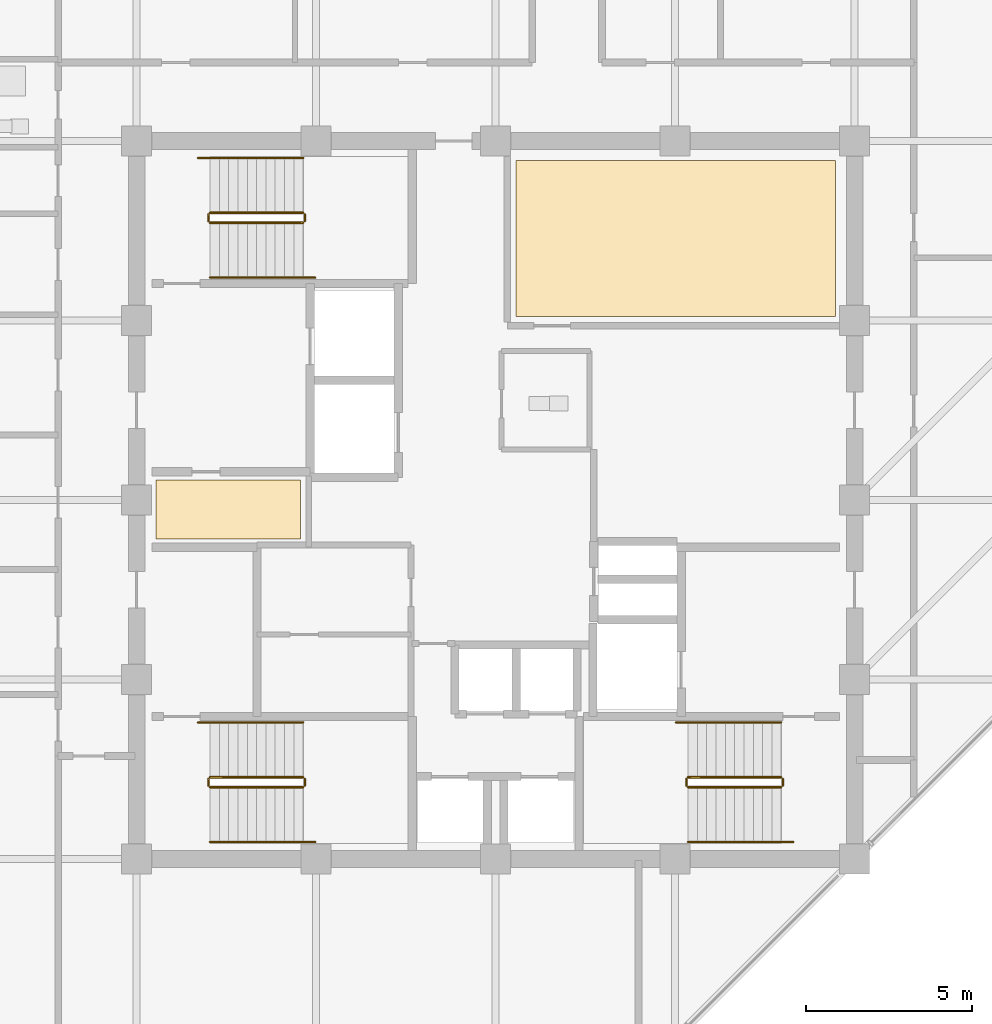
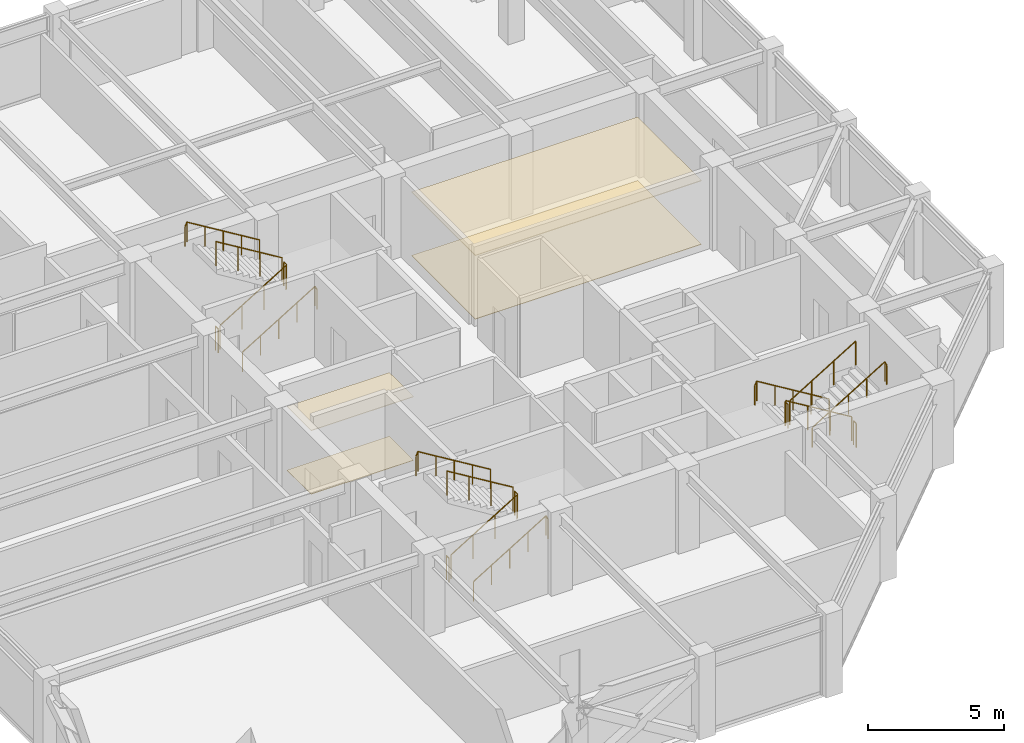
# One storey, part 29 of 30: 18 railings, 4 coverings.
"""IFC4 building model written with IfcOpenShell, lengths in metres."""

import ifcopenshell
import ifcopenshell.guid

model = None  # the IFC model being written
_history = None  # IfcOwnerHistory: only IFC2X3 demands one
_inside = {}  # id of a spatial element -> (the spatial element, [elements in it])
_under = {}  # id of a project, library or spatial element -> (it, [spatial elements below it])
_declared = {}  # id of a project -> (the project, [libraries it declares])
_typed = {}  # id of a type object -> (the type object, [elements of that type])
_made_of = {}  # id of a material, layer set ... -> (it, [elements and type objects made of it])


def new_model(schema):
    """Start an empty IFC model of exactly this schema.

    Asked for "IFC4X3", IfcOpenShell would pick the latest addendum, in which some entities
    have other attributes; the version numbers below select the first issue.
    IFC2X3 requires an IfcOwnerHistory on every rooted entity: one is made here for all.
    """
    global model, _history
    if schema == "IFC4X3":
        model = ifcopenshell.file(schema_version=(4, 3, 0, 0))
    else:
        model = ifcopenshell.file(schema=schema)
    _inside.clear()
    _under.clear()
    _declared.clear()
    _typed.clear()
    _made_of.clear()
    _history = None
    if model.schema == "IFC2X3":
        org = make("IfcOrganization", Name="unknown")
        user = make(
            "IfcPersonAndOrganization",
            ThePerson=make("IfcPerson", FamilyName="unknown"),
            TheOrganization=org,
        )
        app = make(
            "IfcApplication",
            ApplicationDeveloper=org,
            Version="unknown",
            ApplicationFullName="unknown",
            ApplicationIdentifier="unknown",
        )
        _history = make(
            "IfcOwnerHistory",
            OwningUser=user,
            OwningApplication=app,
            ChangeAction="ADDED",
            CreationDate=0,
        )
    return model


def make(cls, **values):
    """One entity of the class cls with the attributes given. An attribute that is None is left unset."""
    return model.create_entity(
        cls, **{name: value for name, value in values.items() if value is not None}
    )


def rooted(cls, **values):
    """An entity with a GlobalId (a new one), such as an element, a storey or a relation."""
    return make(cls, GlobalId=ifcopenshell.guid.new(), OwnerHistory=_history, **values)


def si_unit(unit_type, name, prefix=None):
    """IfcSIUnit, for example si_unit("LENGTHUNIT", "METRE", prefix="MILLI")."""
    return make("IfcSIUnit", UnitType=unit_type, Prefix=prefix, Name=name)


def assignment(units):
    """IfcUnitAssignment: the units of a project."""
    return None if units is None else make("IfcUnitAssignment", Units=units)


def point(xyz):
    """IfcCartesianPoint."""
    return None if xyz is None else make("IfcCartesianPoint", Coordinates=xyz)


def direction(xyz):
    """IfcDirection."""
    return None if xyz is None else make("IfcDirection", DirectionRatios=xyz)


def frame(location, z_axis=None, x_axis=None):
    """IfcAxis2Placement3D, a coordinate frame: its origin and axes. An axis left out is left unset."""
    return make(
        "IfcAxis2Placement3D",
        Location=point(location),
        Axis=direction(z_axis),
        RefDirection=direction(x_axis),
    )


def frame_2d(location, x_axis=None):
    """IfcAxis2Placement2D, a coordinate frame in the plane: its origin and x axis."""
    return make(
        "IfcAxis2Placement2D", Location=point(location), RefDirection=direction(x_axis)
    )


def origin():
    """The frame at (0, 0, 0) with its axes left unset."""
    return frame((0.0, 0.0, 0.0))


def origin_2d():
    """The frame at (0, 0) in the plane with its x axis left unset."""
    return frame_2d((0.0, 0.0))


def place(relative_to, where):
    """IfcLocalPlacement: puts the frame where relative to a parent placement (None: the world)."""
    return make(
        "IfcLocalPlacement", PlacementRelTo=relative_to, RelativePlacement=where
    )


def context(
    kind, dimensions, precision=None, world=None, true_north=None, identifier=None
):
    """IfcGeometricRepresentationContext, for example the 3D "Model" context."""
    return make(
        "IfcGeometricRepresentationContext",
        ContextIdentifier=identifier,
        ContextType=kind,
        CoordinateSpaceDimension=dimensions,
        Precision=precision,
        WorldCoordinateSystem=world,
        TrueNorth=true_north,
    )


def subcontext(parent, identifier, kind, view, scale=None):
    """IfcGeometricRepresentationSubContext, for example "Body" below "Model"."""
    return make(
        "IfcGeometricRepresentationSubContext",
        ContextIdentifier=identifier,
        ContextType=kind,
        ParentContext=parent,
        TargetScale=scale,
        TargetView=view,
    )


def project(units=None, contexts=None):
    """IfcProject with its units and contexts."""
    return rooted(
        "IfcProject",
        Name="project",
        RepresentationContexts=contexts,
        UnitsInContext=assignment(units),
    )


def spatial(cls, under=None, at=None, **own):
    """A site, building, storey or space (cls), placed at a placement, below another one or the project."""
    s = rooted(cls, ObjectPlacement=at, **own)
    if under is not None:
        _under.setdefault(under.id(), (under, []))[1].append(s)
    return s


def polyline(points):
    """IfcPolyline through the points."""
    return make("IfcPolyline", Points=[point(p) for p in points])


def profile(cls, at=None, kind="AREA", **sizes):
    """A parametric profile (cls). Its sizes go by their IFC names, for example OverallWidth=200.0."""
    return make(cls, ProfileType=kind, Position=at, **sizes)


def circle(**sizes):
    """IfcCircleProfileDef."""
    return profile("IfcCircleProfileDef", **sizes)


def outline(outer, holes=None, kind="AREA"):
    """IfcArbitraryClosedProfileDef: a profile drawn as a closed curve; with holes, ...WithVoids."""
    if holes is None:
        return make("IfcArbitraryClosedProfileDef", ProfileType=kind, OuterCurve=outer)
    return make(
        "IfcArbitraryProfileDefWithVoids",
        ProfileType=kind,
        OuterCurve=outer,
        InnerCurves=holes,
    )


def extrude(swept, where, along, depth):
    """IfcExtrudedAreaSolid: the profile swept, set in the frame where, extruded along a direction by depth."""
    return make(
        "IfcExtrudedAreaSolid",
        SweptArea=swept,
        Position=where,
        ExtrudedDirection=direction(along),
        Depth=depth,
    )


def shape(context_of_items, identifier, shape_type, items):
    """IfcShapeRepresentation: the items that make up one representation, for example the "Body"."""
    return make(
        "IfcShapeRepresentation",
        ContextOfItems=context_of_items,
        RepresentationIdentifier=identifier,
        RepresentationType=shape_type,
        Items=items,
    )


def material(Name=None, Category=None):
    """IfcMaterial."""
    return make("IfcMaterial", Name=Name, Category=Category)


def layer(
    of_material, thickness, ventilated=None, Name=None, Category=None, Priority=None
):
    """IfcMaterialLayer: one layer of a wall or slab, of a material (None: an air gap)."""
    return make(
        "IfcMaterialLayer",
        Material=of_material,
        LayerThickness=thickness,
        IsVentilated=ventilated,
        Name=Name,
        Category=Category,
        Priority=Priority,
    )


def layer_set(layers, Name=None):
    """IfcMaterialLayerSet."""
    return make("IfcMaterialLayerSet", MaterialLayers=layers, LayerSetName=Name)


def made_of(thing, what):
    """Note that an element or type object is made of a material, layer set ...; save() writes the relation."""
    if what is not None:
        _made_of.setdefault(what.id(), (what, []))[1].append(thing)
    return thing


def type_object(cls, material=None, **own):
    """A type object (cls), such as IfcWallType, which elements share."""
    return made_of(rooted(cls, **own), material)


def element(
    cls,
    number,
    at=None,
    inside=None,
    cuts=None,
    type_object=None,
    material=None,
    context=None,
    identifier="Body",
    shape_type=None,
    held_by="IfcProductDefinitionShape",
    body=None,
    shapes=None,
    **own,
):
    """One element of the class cls, such as IfcWall. Its Tag is "e" and its number.

    at: its placement. inside: the storey or other place that contains it. cuts: it is an
    opening in that element (IfcRelVoidsElement). A single representation is given by context,
    identifier, shape_type and body (its items); several are given by shapes. held_by: the class
    of the entity that holds the representations. save() writes the other relations.
    """
    e = rooted(cls, Tag="e%d" % number, ObjectPlacement=at, **own)
    if body is not None:
        shapes = [shape(context, identifier, shape_type, body)]
    if shapes is not None:
        e.Representation = make(held_by, Representations=shapes)
    if inside is not None:
        _inside.setdefault(inside.id(), (inside, []))[1].append(e)
    if cuts is not None:
        rooted(
            "IfcRelVoidsElement", RelatingBuildingElement=cuts, RelatedOpeningElement=e
        )
    if type_object is not None:
        _typed.setdefault(type_object.id(), (type_object, []))[1].append(e)
    return made_of(e, material)


def aggregate(whole, parts):
    """IfcRelAggregates: a whole, such as a stair, and the parts it consists of."""
    return rooted("IfcRelAggregates", RelatingObject=whole, RelatedObjects=parts)


def save(model, path):
    """Write the relations noted so far, then the file.

    IfcRelAggregates (storeys below a building ...), IfcRelContainedInSpatialStructure (elements
    in a storey), IfcRelDefinesByType, IfcRelAssociatesMaterial and IfcRelDeclares: one each for
    every whole, place, type object, material and project.
    """
    for whole, parts in _under.values():
        aggregate(whole, parts)
    for where, things in _inside.values():
        rooted(
            "IfcRelContainedInSpatialStructure",
            RelatedElements=things,
            RelatingStructure=where,
        )
    for kind, things in _typed.values():
        rooted("IfcRelDefinesByType", RelatedObjects=things, RelatingType=kind)
    for what, things in _made_of.values():
        rooted("IfcRelAssociatesMaterial", RelatedObjects=things, RelatingMaterial=what)
    for by, libraries in _declared.values():
        rooted("IfcRelDeclares", RelatingContext=by, RelatedDefinitions=libraries)
    model.write(path)


model = new_model("IFC4")

# Units and contexts
model_context = context("Model", 3, precision=1e-05, world=origin(), true_north=direction((0.0, 1.0)))
body_context = subcontext(model_context, "Body", "Model", "MODEL_VIEW")
ifc_project = project(units=[si_unit("LENGTHUNIT", "METRE"), si_unit("AREAUNIT", "SQUARE_METRE"), si_unit("VOLUMEUNIT", "CUBIC_METRE"), si_unit("PLANEANGLEUNIT", "RADIAN"), si_unit("MASSUNIT", "GRAM", prefix="KILO")], contexts=[model_context])

# Site, building, storey
site_placement = place(None, origin())
site = spatial("IfcSite", under=ifc_project, at=site_placement, CompositionType="ELEMENT")
building_placement = place(site_placement, origin())
building = spatial("IfcBuilding", under=site, at=building_placement, Name="Surkhivell Harbour Commons", CompositionType="ELEMENT")
storey_placement = place(building_placement, frame((0.0, 0.0, 300.0)))
storey = spatial("IfcBuildingStorey", under=building, at=storey_placement, Name="L78", CompositionType="ELEMENT", Elevation=300.0)

# Coverings
ifc_material_1 = material(Name="Perforated acoustic mineral-fibre ceiling tile", Category="other")
ifc_layer_1 = layer(ifc_material_1, 0.02490234375)
ifc_layer_set_1 = layer_set([ifc_layer_1], Name="Perforated acoustic mineral-fibre ceiling tile")
covering_type_1 = type_object("IfcCoveringType", Name="COV-CEIL-AC", PredefinedType="CEILING", material=ifc_layer_set_1)
covering_1_placement = place(storey_placement, frame((0.0, 0.0, 2.85205078125)))
element("IfcCovering", 1, at=covering_1_placement, inside=storey, type_object=covering_type_1, Name="L78 Suspended Acoustic Ceiling 1", PredefinedType="CEILING", context=body_context, shape_type="SweptSolid", body=[
    extrude(outline(polyline([(-10.219970703125, -1.179931640625), (-5.8701171875, -1.179931640625), (-5.8701171875, 0.60009765625), (-10.219970703125, 0.60009765625), (-10.219970703125, -1.179931640625)])), origin(), (0.0, 0.0, 1.0), 0.02490234375),
])
ifc_material_2 = material(Name="Moisture-resistant gypsum acoustic ceiling board", Category="other")
ifc_layer_2 = layer(ifc_material_2, 0.030029296875)
ifc_layer_set_2 = layer_set([ifc_layer_2], Name="Moisture-resistant gypsum acoustic ceiling board")
covering_type_2 = type_object("IfcCoveringType", Name="COV-CEIL-GYP", PredefinedType="CEILING", material=ifc_layer_set_2)
covering_2_placement = place(storey_placement, frame((0.0, 0.0, 2.846923828125)))
element("IfcCovering", 2, at=covering_2_placement, inside=storey, type_object=covering_type_2, Name="L78 Suspended Acoustic Ceiling 2", PredefinedType="CEILING", context=body_context, shape_type="SweptSolid", body=[
    extrude(outline(polyline([(0.6201171875, 5.52001953125), (10.219970703125, 5.52001953125), (10.219970703125, 10.219970703125), (0.6201171875, 10.219970703125), (0.6201171875, 5.52001953125)])), origin(), (0.0, 0.0, 1.0), 0.030029296875),
])
ifc_material_3 = material(Name="Engineered acoustic oak timber flooring", Category="wood")
ifc_layer_3 = layer(ifc_material_3, 0.02001953125)
ifc_layer_set_3 = layer_set([ifc_layer_3], Name="Engineered acoustic oak timber flooring")
covering_type_3 = type_object("IfcCoveringType", Name="COV-FLR-TIM", PredefinedType="FLOORING", material=ifc_layer_set_3)
covering_3_placement = place(storey_placement, origin())
element("IfcCovering", 3, at=covering_3_placement, inside=storey, type_object=covering_type_3, Name="L78 Interior Floor Finish 1", PredefinedType="FLOORING", context=body_context, shape_type="SweptSolid", body=[
    extrude(outline(polyline([(-10.219970703125, -1.179931640625), (-5.8701171875, -1.179931640625), (-5.8701171875, 0.60009765625), (-10.219970703125, 0.60009765625), (-10.219970703125, -1.179931640625)])), origin(), (0.0, 0.0, 1.0), 0.02001953125),
])
covering_4_placement = place(storey_placement, origin())
element("IfcCovering", 4, at=covering_4_placement, inside=storey, type_object=covering_type_3, Name="L78 Interior Floor Finish 2", PredefinedType="FLOORING", context=body_context, shape_type="SweptSolid", body=[
    extrude(outline(polyline([(0.6201171875, 5.52001953125), (10.219970703125, 5.52001953125), (10.219970703125, 10.219970703125), (0.6201171875, 10.219970703125), (0.6201171875, 5.52001953125)])), origin(), (0.0, 0.0, 1.0), 0.02001953125),
])

# Railings
ifc_material_4 = material(Name="Galvanised and painted steel S355 guard rail", Category="steel")
railing_type_1 = type_object("IfcRailingType", Name="RAL-ST-GRD1100", PredefinedType="GUARDRAIL", material=ifc_material_4)
railing_1_placement = place(storey_placement, frame((-8.590087890625, 8.340087890625, 0.17041015625)))
element("IfcRailing", 5, at=railing_1_placement, inside=storey, type_object=railing_type_1, Name="L78 ST1 stair guard 1", PredefinedType="GUARDRAIL", context=body_context, shape_type="SweptSolid", body=[
    extrude(circle(Radius=0.02392578125, at=origin_2d()), frame((0.0, 0.0, 1.076171875), z_axis=(0.854169791009, 0.0, 0.51999420009), x_axis=(0.0, 1.0, 0.0)), (0.0, 0.0, 1.0), 3.278076171875),
    extrude(circle(Radius=0.02099609375, at=origin_2d()), origin(), (0.0, 0.0, 1.0), 1.052001953125),
    extrude(circle(Radius=0.02099609375, at=origin_2d()), frame((0.933349609375, 0.0, 0.568115234375)), (0.0, 0.0, 1.0), 1.052001953125),
    extrude(circle(Radius=0.02099609375, at=origin_2d()), frame((1.86669921875, 0.0, 1.136474609375)), (0.0, 0.0, 1.0), 1.052001953125),
    extrude(circle(Radius=0.02099609375, at=origin_2d()), frame((2.800048828125, 0.0, 1.70458984375)), (0.0, 0.0, 1.0), 1.052001953125),
])
railing_2_placement = place(storey_placement, frame((-5.739990234375, 8.389892578125, 1.875)))
element("IfcRailing", 6, at=railing_2_placement, inside=storey, type_object=railing_type_1, Name="L78 ST1 stair guard 2", PredefinedType="GUARDRAIL", context=body_context, shape_type="SweptSolid", body=[
    extrude(circle(Radius=0.02392578125, at=origin_2d()), frame((0.0, 0.0, 1.076171875), z_axis=(0.0, 1.0, 0.0), x_axis=(-1.0, 0.0, 0.0)), (0.0, 0.0, 1.0), 0.2001953125),
    extrude(circle(Radius=0.02099609375, at=origin_2d()), origin(), (0.0, 0.0, 1.0), 1.052001953125),
    extrude(circle(Radius=0.02099609375, at=origin_2d()), frame((0.0, 0.2001953125, 0.0)), (0.0, 0.0, 1.0), 1.052001953125),
])
railing_3_placement = place(storey_placement, frame((-5.7900390625, 8.639892578125, 2.04541015625)))
element("IfcRailing", 7, at=railing_3_placement, inside=storey, type_object=railing_type_1, Name="L78 ST1 stair guard 3", PredefinedType="GUARDRAIL", context=body_context, shape_type="SweptSolid", body=[
    extrude(circle(Radius=0.02392578125, at=origin_2d()), frame((0.0, 0.0, 1.076171875), z_axis=(-0.854169791009, 0.0, 0.51999420009), x_axis=(0.0, -1.0, 0.0)), (0.0, 0.0, 1.0), 3.278076171875),
    extrude(circle(Radius=0.02099609375, at=origin_2d()), origin(), (0.0, 0.0, 1.0), 1.052001953125),
    extrude(circle(Radius=0.02099609375, at=origin_2d()), frame((-0.933349609375, 0.0, 0.568115234375)), (0.0, 0.0, 1.0), 1.052001953125),
    extrude(circle(Radius=0.02099609375, at=origin_2d()), frame((-1.86669921875, 0.0, 1.136474609375)), (0.0, 0.0, 1.0), 1.052001953125),
    extrude(circle(Radius=0.02099609375, at=origin_2d()), frame((-2.800048828125, 0.0, 1.70458984375)), (0.0, 0.0, 1.0), 1.052001953125),
])
railing_4_placement = place(storey_placement, frame((-8.639892578125, 8.389892578125, 0.0)))
element("IfcRailing", 8, at=railing_4_placement, inside=storey, type_object=railing_type_1, Name="L78 ST1 stair guard 4", PredefinedType="GUARDRAIL", context=body_context, shape_type="SweptSolid", body=[
    extrude(circle(Radius=0.02392578125, at=origin_2d()), frame((0.0, 0.0, 1.076171875), z_axis=(0.0, 1.0, 0.0), x_axis=(-1.0, 0.0, 0.0)), (0.0, 0.0, 1.0), 0.2001953125),
    extrude(circle(Radius=0.02099609375, at=origin_2d()), origin(), (0.0, 0.0, 1.0), 1.052001953125),
    extrude(circle(Radius=0.02099609375, at=origin_2d()), frame((0.0, 0.2001953125, 0.0)), (0.0, 0.0, 1.0), 1.052001953125),
])
railing_5_placement = place(storey_placement, frame((8.590087890625, -8.340087890625, 0.17041015625)))
element("IfcRailing", 9, at=railing_5_placement, inside=storey, type_object=railing_type_1, Name="L78 ST2 stair guard 1", PredefinedType="GUARDRAIL", context=body_context, shape_type="SweptSolid", body=[
    extrude(circle(Radius=0.02392578125, at=origin_2d()), frame((0.0, 0.0, 1.076171875), z_axis=(-0.854169791009, 0.0, 0.51999420009), x_axis=(0.0, -1.0, 0.0)), (0.0, 0.0, 1.0), 3.278076171875),
    extrude(circle(Radius=0.02099609375, at=origin_2d()), origin(), (0.0, 0.0, 1.0), 1.052001953125),
    extrude(circle(Radius=0.02099609375, at=origin_2d()), frame((-0.933349609375, 0.0, 0.568115234375)), (0.0, 0.0, 1.0), 1.052001953125),
    extrude(circle(Radius=0.02099609375, at=origin_2d()), frame((-1.86669921875, 0.0, 1.136474609375)), (0.0, 0.0, 1.0), 1.052001953125),
    extrude(circle(Radius=0.02099609375, at=origin_2d()), frame((-2.800048828125, 0.0, 1.70458984375)), (0.0, 0.0, 1.0), 1.052001953125),
])
railing_6_placement = place(storey_placement, frame((5.739990234375, -8.389892578125, 1.875)))
element("IfcRailing", 10, at=railing_6_placement, inside=storey, type_object=railing_type_1, Name="L78 ST2 stair guard 2", PredefinedType="GUARDRAIL", context=body_context, shape_type="SweptSolid", body=[
    extrude(circle(Radius=0.02392578125, at=origin_2d()), frame((0.0, 0.0, 1.076171875), z_axis=(0.0, -1.0, 0.0), x_axis=(1.0, 0.0, 0.0)), (0.0, 0.0, 1.0), 0.2001953125),
    extrude(circle(Radius=0.02099609375, at=origin_2d()), origin(), (0.0, 0.0, 1.0), 1.052001953125),
    extrude(circle(Radius=0.02099609375, at=origin_2d()), frame((0.0, -0.2001953125, 0.0)), (0.0, 0.0, 1.0), 1.052001953125),
])
railing_7_placement = place(storey_placement, frame((5.7900390625, -8.639892578125, 2.04541015625)))
element("IfcRailing", 11, at=railing_7_placement, inside=storey, type_object=railing_type_1, Name="L78 ST2 stair guard 3", PredefinedType="GUARDRAIL", context=body_context, shape_type="SweptSolid", body=[
    extrude(circle(Radius=0.02392578125, at=origin_2d()), frame((0.0, 0.0, 1.076171875), z_axis=(0.854169791009, 0.0, 0.51999420009), x_axis=(0.0, 1.0, 0.0)), (0.0, 0.0, 1.0), 3.278076171875),
    extrude(circle(Radius=0.02099609375, at=origin_2d()), origin(), (0.0, 0.0, 1.0), 1.052001953125),
    extrude(circle(Radius=0.02099609375, at=origin_2d()), frame((0.933349609375, 0.0, 0.568115234375)), (0.0, 0.0, 1.0), 1.052001953125),
    extrude(circle(Radius=0.02099609375, at=origin_2d()), frame((1.86669921875, 0.0, 1.136474609375)), (0.0, 0.0, 1.0), 1.052001953125),
    extrude(circle(Radius=0.02099609375, at=origin_2d()), frame((2.800048828125, 0.0, 1.70458984375)), (0.0, 0.0, 1.0), 1.052001953125),
])
railing_8_placement = place(storey_placement, frame((8.639892578125, -8.389892578125, 0.0)))
element("IfcRailing", 12, at=railing_8_placement, inside=storey, type_object=railing_type_1, Name="L78 ST2 stair guard 4", PredefinedType="GUARDRAIL", context=body_context, shape_type="SweptSolid", body=[
    extrude(circle(Radius=0.02392578125, at=origin_2d()), frame((0.0, 0.0, 1.076171875), z_axis=(0.0, -1.0, 0.0), x_axis=(1.0, 0.0, 0.0)), (0.0, 0.0, 1.0), 0.2001953125),
    extrude(circle(Radius=0.02099609375, at=origin_2d()), origin(), (0.0, 0.0, 1.0), 1.052001953125),
    extrude(circle(Radius=0.02099609375, at=origin_2d()), frame((0.0, -0.2001953125, 0.0)), (0.0, 0.0, 1.0), 1.052001953125),
])
railing_9_placement = place(storey_placement, frame((-8.590087890625, -8.639892578125, 0.17041015625)))
element("IfcRailing", 13, at=railing_9_placement, inside=storey, type_object=railing_type_1, Name="L78 ST3 stair guard 1", PredefinedType="GUARDRAIL", context=body_context, shape_type="SweptSolid", body=[
    extrude(circle(Radius=0.02392578125, at=origin_2d()), frame((0.0, 0.0, 1.076171875), z_axis=(0.854169791009, 0.0, 0.51999420009), x_axis=(0.0, 1.0, 0.0)), (0.0, 0.0, 1.0), 3.278076171875),
    extrude(circle(Radius=0.02099609375, at=origin_2d()), origin(), (0.0, 0.0, 1.0), 1.052001953125),
    extrude(circle(Radius=0.02099609375, at=origin_2d()), frame((0.933349609375, 0.0, 0.568115234375)), (0.0, 0.0, 1.0), 1.052001953125),
    extrude(circle(Radius=0.02099609375, at=origin_2d()), frame((1.86669921875, 0.0, 1.136474609375)), (0.0, 0.0, 1.0), 1.052001953125),
    extrude(circle(Radius=0.02099609375, at=origin_2d()), frame((2.800048828125, 0.0, 1.70458984375)), (0.0, 0.0, 1.0), 1.052001953125),
])
railing_10_placement = place(storey_placement, frame((-5.739990234375, -8.590087890625, 1.875)))
element("IfcRailing", 14, at=railing_10_placement, inside=storey, type_object=railing_type_1, Name="L78 ST3 stair guard 2", PredefinedType="GUARDRAIL", context=body_context, shape_type="SweptSolid", body=[
    extrude(circle(Radius=0.02392578125, at=origin_2d()), frame((0.0, 0.0, 1.076171875), z_axis=(0.0, 1.0, 0.0), x_axis=(-1.0, 0.0, 0.0)), (0.0, 0.0, 1.0), 0.2001953125),
    extrude(circle(Radius=0.02099609375, at=origin_2d()), origin(), (0.0, 0.0, 1.0), 1.052001953125),
    extrude(circle(Radius=0.02099609375, at=origin_2d()), frame((0.0, 0.2001953125, 0.0)), (0.0, 0.0, 1.0), 1.052001953125),
])
railing_11_placement = place(storey_placement, frame((-5.7900390625, -8.340087890625, 2.04541015625)))
element("IfcRailing", 15, at=railing_11_placement, inside=storey, type_object=railing_type_1, Name="L78 ST3 stair guard 3", PredefinedType="GUARDRAIL", context=body_context, shape_type="SweptSolid", body=[
    extrude(circle(Radius=0.02392578125, at=origin_2d()), frame((0.0, 0.0, 1.076171875), z_axis=(-0.854169791009, 0.0, 0.51999420009), x_axis=(0.0, -1.0, 0.0)), (0.0, 0.0, 1.0), 3.278076171875),
    extrude(circle(Radius=0.02099609375, at=origin_2d()), origin(), (0.0, 0.0, 1.0), 1.052001953125),
    extrude(circle(Radius=0.02099609375, at=origin_2d()), frame((-0.933349609375, 0.0, 0.568115234375)), (0.0, 0.0, 1.0), 1.052001953125),
    extrude(circle(Radius=0.02099609375, at=origin_2d()), frame((-1.86669921875, 0.0, 1.136474609375)), (0.0, 0.0, 1.0), 1.052001953125),
    extrude(circle(Radius=0.02099609375, at=origin_2d()), frame((-2.800048828125, 0.0, 1.70458984375)), (0.0, 0.0, 1.0), 1.052001953125),
])
railing_12_placement = place(storey_placement, frame((-8.639892578125, -8.590087890625, 0.0)))
element("IfcRailing", 16, at=railing_12_placement, inside=storey, type_object=railing_type_1, Name="L78 ST3 stair guard 4", PredefinedType="GUARDRAIL", context=body_context, shape_type="SweptSolid", body=[
    extrude(circle(Radius=0.02392578125, at=origin_2d()), frame((0.0, 0.0, 1.076171875), z_axis=(0.0, 1.0, 0.0), x_axis=(-1.0, 0.0, 0.0)), (0.0, 0.0, 1.0), 0.2001953125),
    extrude(circle(Radius=0.02099609375, at=origin_2d()), origin(), (0.0, 0.0, 1.0), 1.052001953125),
    extrude(circle(Radius=0.02099609375, at=origin_2d()), frame((0.0, 0.2001953125, 0.0)), (0.0, 0.0, 1.0), 1.052001953125),
])
ifc_material_5 = material(Name="Brushed stainless steel S355 handrail", Category="steel")
railing_type_2 = type_object("IfcRailingType", Name="RAL-ST-HND900", PredefinedType="HANDRAIL", material=ifc_material_5)
railing_13_placement = place(storey_placement, frame((-8.590087890625, 6.68994140625, 0.17041015625)))
element("IfcRailing", 17, at=railing_13_placement, inside=storey, type_object=railing_type_2, Name="L78 ST1 stair handrail 1", PredefinedType="HANDRAIL", context=body_context, shape_type="SweptSolid", body=[
    extrude(circle(Radius=0.02392578125, at=origin_2d()), frame((0.0, 0.0, 0.8759765625), z_axis=(0.854177636135, 0.0, 0.519981313056), x_axis=(0.0, 1.0, 0.0)), (0.0, 0.0, 1.0), 3.60595703125),
    extrude(circle(Radius=0.02392578125, at=origin_2d()), frame((3.080078125, 0.0, 2.7509765625), z_axis=(0.425297416671, 0.0, -0.905053648892), x_axis=(0.0, 1.0, 0.0)), (0.0, 0.0, 1.0), 0.188232421875),
    extrude(circle(Radius=0.02099609375, at=origin_2d()), origin(), (0.0, 0.0, 1.0), 0.851806640625),
    extrude(circle(Radius=0.02099609375, at=origin_2d()), frame((0.77001953125, 0.0, 0.46875)), (0.0, 0.0, 1.0), 0.851806640625),
    extrude(circle(Radius=0.02099609375, at=origin_2d()), frame((1.5400390625, 0.0, 0.9375)), (0.0, 0.0, 1.0), 0.851806640625),
    extrude(circle(Radius=0.02099609375, at=origin_2d()), frame((2.31005859375, 0.0, 1.40625)), (0.0, 0.0, 1.0), 0.851806640625),
    extrude(circle(Radius=0.02099609375, at=origin_2d()), frame((3.080078125, 0.0, 1.875)), (0.0, 0.0, 1.0), 0.851806640625),
    extrude(circle(Radius=0.02099609375, at=origin_2d()), frame((3.16015625, 0.0, 1.70458984375)), (0.0, 0.0, 1.0), 0.851806640625),
])
railing_14_placement = place(storey_placement, frame((-5.7900390625, 10.2900390625, 2.04541015625)))
element("IfcRailing", 18, at=railing_14_placement, inside=storey, type_object=railing_type_2, Name="L78 ST1 stair handrail 2", PredefinedType="HANDRAIL", context=body_context, shape_type="SweptSolid", body=[
    extrude(circle(Radius=0.02392578125, at=origin_2d()), frame((0.0, 0.0, 0.8759765625), z_axis=(-0.854177636135, 0.0, 0.519981313056), x_axis=(0.0, -1.0, 0.0)), (0.0, 0.0, 1.0), 3.60595703125),
    extrude(circle(Radius=0.02392578125, at=origin_2d()), frame((-3.080078125, 0.0, 2.7509765625), z_axis=(-0.424234432967, 0.0, -0.905552398199), x_axis=(0.0, -1.0, 0.0)), (0.0, 0.0, 1.0), 0.188232421875),
    extrude(circle(Radius=0.02099609375, at=origin_2d()), origin(), (0.0, 0.0, 1.0), 0.851806640625),
    extrude(circle(Radius=0.02099609375, at=origin_2d()), frame((-0.77001953125, 0.0, 0.46875)), (0.0, 0.0, 1.0), 0.851806640625),
    extrude(circle(Radius=0.02099609375, at=origin_2d()), frame((-1.5400390625, 0.0, 0.9375)), (0.0, 0.0, 1.0), 0.851806640625),
    extrude(circle(Radius=0.02099609375, at=origin_2d()), frame((-2.31005859375, 0.0, 1.40625)), (0.0, 0.0, 1.0), 0.851806640625),
    extrude(circle(Radius=0.02099609375, at=origin_2d()), frame((-3.080078125, 0.0, 1.875)), (0.0, 0.0, 1.0), 0.851806640625),
    extrude(circle(Radius=0.02099609375, at=origin_2d()), frame((-3.159912109375, 0.0, 1.70458984375)), (0.0, 0.0, 1.0), 0.851806640625),
])
railing_15_placement = place(storey_placement, frame((8.590087890625, -6.68994140625, 0.17041015625)))
element("IfcRailing", 19, at=railing_15_placement, inside=storey, type_object=railing_type_2, Name="L78 ST2 stair handrail 1", PredefinedType="HANDRAIL", context=body_context, shape_type="SweptSolid", body=[
    extrude(circle(Radius=0.02392578125, at=origin_2d()), frame((0.0, 0.0, 0.8759765625), z_axis=(-0.854177636135, 0.0, 0.519981313056), x_axis=(0.0, -1.0, 0.0)), (0.0, 0.0, 1.0), 3.60595703125),
    extrude(circle(Radius=0.02392578125, at=origin_2d()), frame((-3.080078125, 0.0, 2.7509765625), z_axis=(-0.425297416671, 0.0, -0.905053648892), x_axis=(0.0, -1.0, 0.0)), (0.0, 0.0, 1.0), 0.188232421875),
    extrude(circle(Radius=0.02099609375, at=origin_2d()), origin(), (0.0, 0.0, 1.0), 0.851806640625),
    extrude(circle(Radius=0.02099609375, at=origin_2d()), frame((-0.77001953125, 0.0, 0.46875)), (0.0, 0.0, 1.0), 0.851806640625),
    extrude(circle(Radius=0.02099609375, at=origin_2d()), frame((-1.5400390625, 0.0, 0.9375)), (0.0, 0.0, 1.0), 0.851806640625),
    extrude(circle(Radius=0.02099609375, at=origin_2d()), frame((-2.31005859375, 0.0, 1.40625)), (0.0, 0.0, 1.0), 0.851806640625),
    extrude(circle(Radius=0.02099609375, at=origin_2d()), frame((-3.080078125, 0.0, 1.875)), (0.0, 0.0, 1.0), 0.851806640625),
    extrude(circle(Radius=0.02099609375, at=origin_2d()), frame((-3.16015625, 0.0, 1.70458984375)), (0.0, 0.0, 1.0), 0.851806640625),
])
railing_16_placement = place(storey_placement, frame((5.7900390625, -10.2900390625, 2.04541015625)))
element("IfcRailing", 20, at=railing_16_placement, inside=storey, type_object=railing_type_2, Name="L78 ST2 stair handrail 2", PredefinedType="HANDRAIL", context=body_context, shape_type="SweptSolid", body=[
    extrude(circle(Radius=0.02392578125, at=origin_2d()), frame((0.0, 0.0, 0.8759765625), z_axis=(0.854177636135, 0.0, 0.519981313056), x_axis=(0.0, 1.0, 0.0)), (0.0, 0.0, 1.0), 3.60595703125),
    extrude(circle(Radius=0.02392578125, at=origin_2d()), frame((3.080078125, 0.0, 2.7509765625), z_axis=(0.424234432967, 0.0, -0.905552398199), x_axis=(0.0, 1.0, 0.0)), (0.0, 0.0, 1.0), 0.188232421875),
    extrude(circle(Radius=0.02099609375, at=origin_2d()), origin(), (0.0, 0.0, 1.0), 0.851806640625),
    extrude(circle(Radius=0.02099609375, at=origin_2d()), frame((0.77001953125, 0.0, 0.46875)), (0.0, 0.0, 1.0), 0.851806640625),
    extrude(circle(Radius=0.02099609375, at=origin_2d()), frame((1.5400390625, 0.0, 0.9375)), (0.0, 0.0, 1.0), 0.851806640625),
    extrude(circle(Radius=0.02099609375, at=origin_2d()), frame((2.31005859375, 0.0, 1.40625)), (0.0, 0.0, 1.0), 0.851806640625),
    extrude(circle(Radius=0.02099609375, at=origin_2d()), frame((3.080078125, 0.0, 1.875)), (0.0, 0.0, 1.0), 0.851806640625),
    extrude(circle(Radius=0.02099609375, at=origin_2d()), frame((3.159912109375, 0.0, 1.70458984375)), (0.0, 0.0, 1.0), 0.851806640625),
])
railing_17_placement = place(storey_placement, frame((-8.590087890625, -10.2900390625, 0.17041015625)))
element("IfcRailing", 21, at=railing_17_placement, inside=storey, type_object=railing_type_2, Name="L78 ST3 stair handrail 1", PredefinedType="HANDRAIL", context=body_context, shape_type="SweptSolid", body=[
    extrude(circle(Radius=0.02392578125, at=origin_2d()), frame((0.0, 0.0, 0.8759765625), z_axis=(0.854177636135, 0.0, 0.519981313056), x_axis=(0.0, 1.0, 0.0)), (0.0, 0.0, 1.0), 3.60595703125),
    extrude(circle(Radius=0.02392578125, at=origin_2d()), frame((3.080078125, 0.0, 2.7509765625), z_axis=(0.425297416671, 0.0, -0.905053648892), x_axis=(0.0, 1.0, 0.0)), (0.0, 0.0, 1.0), 0.188232421875),
    extrude(circle(Radius=0.02099609375, at=origin_2d()), origin(), (0.0, 0.0, 1.0), 0.851806640625),
    extrude(circle(Radius=0.02099609375, at=origin_2d()), frame((0.77001953125, 0.0, 0.46875)), (0.0, 0.0, 1.0), 0.851806640625),
    extrude(circle(Radius=0.02099609375, at=origin_2d()), frame((1.5400390625, 0.0, 0.9375)), (0.0, 0.0, 1.0), 0.851806640625),
    extrude(circle(Radius=0.02099609375, at=origin_2d()), frame((2.31005859375, 0.0, 1.40625)), (0.0, 0.0, 1.0), 0.851806640625),
    extrude(circle(Radius=0.02099609375, at=origin_2d()), frame((3.080078125, 0.0, 1.875)), (0.0, 0.0, 1.0), 0.851806640625),
    extrude(circle(Radius=0.02099609375, at=origin_2d()), frame((3.16015625, 0.0, 1.70458984375)), (0.0, 0.0, 1.0), 0.851806640625),
])
railing_18_placement = place(storey_placement, frame((-5.7900390625, -6.68994140625, 2.04541015625)))
element("IfcRailing", 22, at=railing_18_placement, inside=storey, type_object=railing_type_2, Name="L78 ST3 stair handrail 2", PredefinedType="HANDRAIL", context=body_context, shape_type="SweptSolid", body=[
    extrude(circle(Radius=0.02392578125, at=origin_2d()), frame((0.0, 0.0, 0.8759765625), z_axis=(-0.854177636135, 0.0, 0.519981313056), x_axis=(0.0, -1.0, 0.0)), (0.0, 0.0, 1.0), 3.60595703125),
    extrude(circle(Radius=0.02392578125, at=origin_2d()), frame((-3.080078125, 0.0, 2.7509765625), z_axis=(-0.424234432967, 0.0, -0.905552398199), x_axis=(0.0, -1.0, 0.0)), (0.0, 0.0, 1.0), 0.188232421875),
    extrude(circle(Radius=0.02099609375, at=origin_2d()), origin(), (0.0, 0.0, 1.0), 0.851806640625),
    extrude(circle(Radius=0.02099609375, at=origin_2d()), frame((-0.77001953125, 0.0, 0.46875)), (0.0, 0.0, 1.0), 0.851806640625),
    extrude(circle(Radius=0.02099609375, at=origin_2d()), frame((-1.5400390625, 0.0, 0.9375)), (0.0, 0.0, 1.0), 0.851806640625),
    extrude(circle(Radius=0.02099609375, at=origin_2d()), frame((-2.31005859375, 0.0, 1.40625)), (0.0, 0.0, 1.0), 0.851806640625),
    extrude(circle(Radius=0.02099609375, at=origin_2d()), frame((-3.080078125, 0.0, 1.875)), (0.0, 0.0, 1.0), 0.851806640625),
    extrude(circle(Radius=0.02099609375, at=origin_2d()), frame((-3.159912109375, 0.0, 1.70458984375)), (0.0, 0.0, 1.0), 0.851806640625),
])

save(model, "model.ifc")
